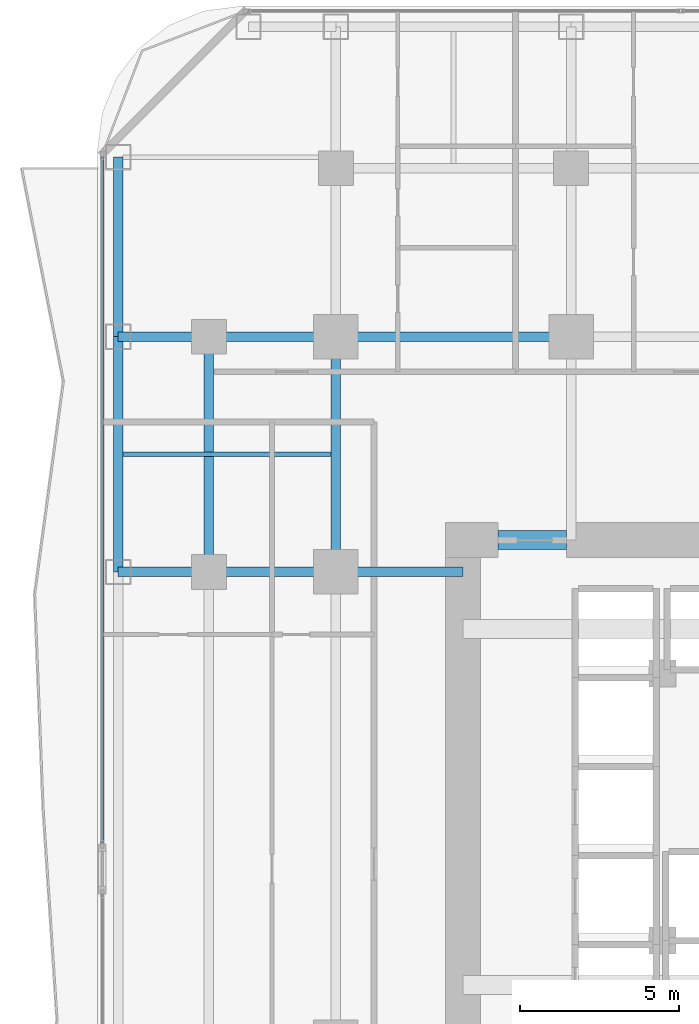
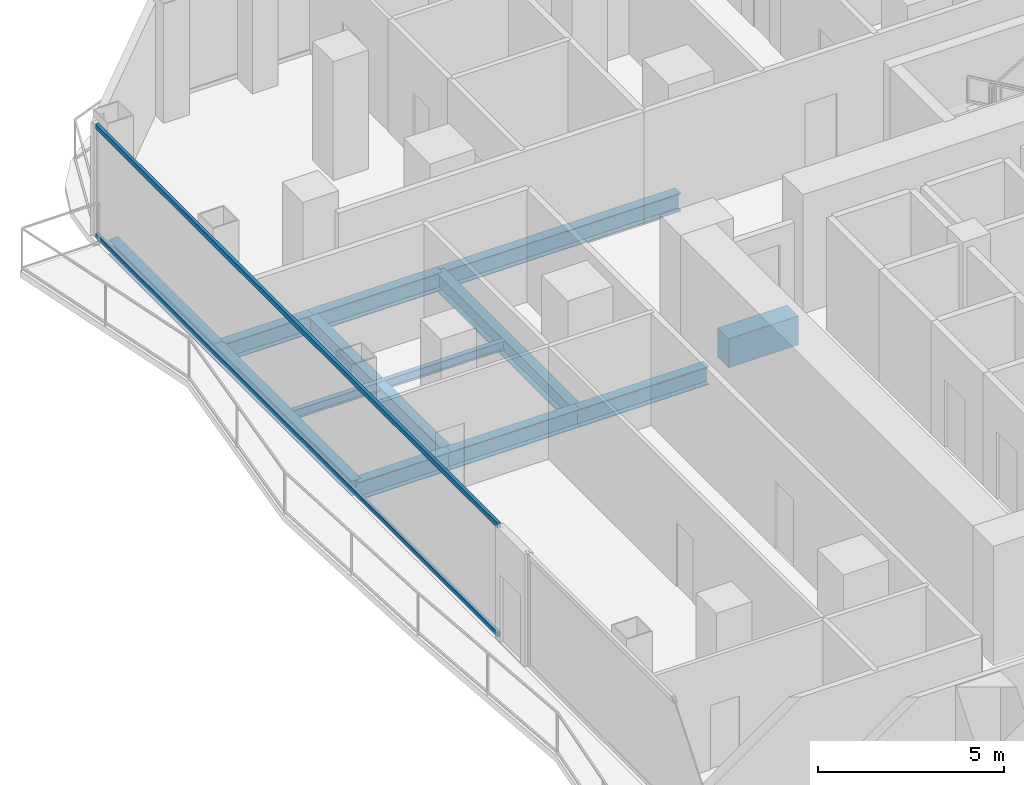
# One storey, part 13 of 27: 12 beams, 2 members, 1 element without a shape of its own.
"""IFC4 building model written with IfcOpenShell, lengths in metres."""

from ifc_helpers import new_model, si_unit, direction, frame, origin, origin_2d, place, context, subcontext, project, spatial, rectangle, hollow_rectangle, i_section, extrude, material, layer, layer_set, material_profile, profile_set, type_object, element, aggregate, save


model = new_model("IFC4")

# Units and contexts
model_context = context("Model", 3, precision=1e-05, world=origin(), true_north=direction((0.0, 1.0)))
body_context = subcontext(model_context, "Body", "Model", "MODEL_VIEW")
ifc_project = project(units=[si_unit("LENGTHUNIT", "METRE"), si_unit("AREAUNIT", "SQUARE_METRE"), si_unit("VOLUMEUNIT", "CUBIC_METRE"), si_unit("PLANEANGLEUNIT", "RADIAN"), si_unit("MASSUNIT", "GRAM", prefix="KILO")], contexts=[model_context])

# Site, building, storey
site_placement = place(None, origin())
site = spatial("IfcSite", under=ifc_project, at=site_placement, CompositionType="ELEMENT")
building_placement = place(site_placement, origin())
building = spatial("IfcBuilding", under=site, at=building_placement, Name="Khorvyn Point Tower", CompositionType="ELEMENT")
storey_placement = place(building_placement, frame((0.0, 0.0, 46.199951171875)))
storey = spatial("IfcBuildingStorey", under=building, at=storey_placement, Name="L12", CompositionType="ELEMENT", Elevation=46.199951171875)

# Curtain wall, members
ifc_material_1 = material(Name="Anodised aluminium 6063-T6 and laminated Low-E glass", Category="aluminium")
ifc_layer = layer(ifc_material_1, 0.18994140625)
ifc_layer_set = layer_set([ifc_layer], Name="Stick-Built Finned Residential Curtain Wall CW-SYS-02")
curtain_wall_type = type_object("IfcCurtainWallType", Name="Stick-Built Finned Residential Curtain Wall CW-SYS-02", PredefinedType="NOTDEFINED", material=ifc_layer_set)
curtain_wall_placement = place(storey_placement, origin())
curtain_wall = element("IfcCurtainWall", 1, at=curtain_wall_placement, inside=storey, type_object=curtain_wall_type, Name="Curtain Wall", PredefinedType="NOTDEFINED")
ifc_material_2 = material(Name="Anodised aluminium 6063-T6", Category="aluminium")
ifc_material_profile_1 = material_profile(ifc_material_2, hollow_rectangle(XDim=0.10009765625, YDim=0.159912109375, WallThickness=0.00439453125, at=origin_2d()))
ifc_profile_set_1 = profile_set([ifc_material_profile_1], Name="Anodised aluminium 6063-T6 ALU-TRN-100x160")
member_type = type_object("IfcMemberType", Name="Anodised Aluminium 6063-T6 Transom ALU-TRN-100x160", PredefinedType="USERDEFINED", material=ifc_profile_set_1)
member_1_placement = place(storey_placement, frame((-22.14990234375, -1.1220703125, 0.050048828125), z_axis=(0.0, 1.0, 0.0), x_axis=(-1.0, 0.0, 0.0)))
member_1 = element("IfcMember", 2, at=member_1_placement, type_object=member_type, Name="Transom", ObjectType="TRANSOM", PredefinedType="USERDEFINED", context=body_context, shape_type="SweptSolid", body=[
    extrude(hollow_rectangle(XDim=0.10009765625, YDim=0.159912109375, WallThickness=0.00439453125, at=origin_2d()), origin(), (0.0, 0.0, 1.0), 21.572021484375),
])
member_2_placement = place(storey_placement, frame((-22.14990234375, -1.1220703125, 3.630126953125), z_axis=(0.0, 1.0, 0.0), x_axis=(-1.0, 0.0, 0.0)))
member_2 = element("IfcMember", 3, at=member_2_placement, type_object=member_type, Name="Transom", ObjectType="TRANSOM", PredefinedType="USERDEFINED", context=body_context, shape_type="SweptSolid", body=[
    extrude(hollow_rectangle(XDim=0.10009765625, YDim=0.159912109375, WallThickness=0.00439453125, at=origin_2d()), origin(), (0.0, 0.0, 1.0), 21.572021484375),
])
aggregate(curtain_wall, [member_1, member_2])

# Beams
ifc_material_3 = material(Name="Concrete C50/60", Category="concrete")
ifc_material_profile_2 = material_profile(ifc_material_3, rectangle(XDim=0.60009765625, YDim=0.949951171875, at=origin_2d()))
ifc_profile_set_2 = profile_set([ifc_material_profile_2], Name="Concrete C50/60 RC600x950")
beam_type_1 = type_object("IfcBeamType", Name="Concrete C50/60 Beam RC600x950", PredefinedType="BEAM", material=ifc_profile_set_2)
beam_1_placement = place(storey_placement, frame((-9.699951171875, 8.39990234375, -0.695068359375), z_axis=(1.0, 0.0, 0.0), x_axis=(0.0, 1.0, 0.0)))
element("IfcBeam", 4, at=beam_1_placement, inside=storey, type_object=beam_type_1, Name="L12 Core Northwest Portal Coupling Beam", PredefinedType="BEAM", context=body_context, shape_type="SweptSolid", body=[
    extrude(rectangle(XDim=0.60009765625, YDim=0.949951171875, at=origin_2d()), origin(), (0.0, 0.0, 1.0), 2.14990234375),
])
ifc_material_4 = material(Name="Steel S355", Category="steel")
ifc_material_profile_3 = material_profile(ifc_material_4, i_section(OverallWidth=0.300048828125, OverallDepth=0.587890625, WebThickness=0.011962890625, FlangeThickness=0.02001953125, at=origin_2d()))
ifc_profile_set_3 = profile_set([ifc_material_profile_3], Name="Steel S355 H588x300x12x20")
beam_type_2 = type_object("IfcBeamType", Name="Steel S355 Beam H588x300x12x20", PredefinedType="BEAM", material=ifc_profile_set_3)
beam_2_placement = place(storey_placement, frame((-21.64990234375, 14.800048828125, -0.513916015625), z_axis=(1.0, 0.0, 0.0), x_axis=(0.0, 1.0, 0.0)))
element("IfcBeam", 5, at=beam_2_placement, inside=storey, type_object=beam_type_2, Name="Beam", PredefinedType="BEAM", context=body_context, shape_type="SweptSolid", body=[
    extrude(i_section(OverallWidth=0.300048828125, OverallDepth=0.587890625, WebThickness=0.011962890625, FlangeThickness=0.02001953125, at=origin_2d()), origin(), (0.0, 0.0, 1.0), 2.849853515625),
])
beam_3_placement = place(storey_placement, frame((-18.800048828125, 14.800048828125, -0.513916015625), z_axis=(1.0, 0.0, 0.0), x_axis=(0.0, 1.0, 0.0)))
element("IfcBeam", 6, at=beam_3_placement, inside=storey, type_object=beam_type_2, Name="Beam", PredefinedType="BEAM", context=body_context, shape_type="SweptSolid", body=[
    extrude(i_section(OverallWidth=0.300048828125, OverallDepth=0.587890625, WebThickness=0.011962890625, FlangeThickness=0.02001953125, at=origin_2d()), origin(), (0.0, 0.0, 1.0), 4.0),
])
beam_4_placement = place(storey_placement, frame((-14.800048828125, 14.800048828125, -0.513916015625), z_axis=(1.0, 0.0, 0.0), x_axis=(0.0, 1.0, 0.0)))
element("IfcBeam", 7, at=beam_4_placement, inside=storey, type_object=beam_type_2, Name="Beam", PredefinedType="BEAM", context=body_context, shape_type="SweptSolid", body=[
    extrude(i_section(OverallWidth=0.300048828125, OverallDepth=0.587890625, WebThickness=0.011962890625, FlangeThickness=0.02001953125, at=origin_2d()), origin(), (0.0, 0.0, 1.0), 7.400146484375),
])
beam_5_placement = place(storey_placement, frame((-21.64990234375, 7.39990234375, -0.513916015625), z_axis=(1.0, 0.0, 0.0), x_axis=(0.0, 1.0, 0.0)))
element("IfcBeam", 8, at=beam_5_placement, inside=storey, type_object=beam_type_2, Name="Beam", PredefinedType="BEAM", context=body_context, shape_type="SweptSolid", body=[
    extrude(i_section(OverallWidth=0.300048828125, OverallDepth=0.587890625, WebThickness=0.011962890625, FlangeThickness=0.02001953125, at=origin_2d()), origin(), (0.0, 0.0, 1.0), 2.849853515625),
])
for number, where, z_axis, x_axis, name in (
    (9, (-18.800048828125, 7.39990234375, -0.513916015625), (1.0, 0.0, 0.0), (0.0, 1.0, 0.0), "Beam"),
    (10, (-14.800048828125, 7.39990234375, -0.513916015625), (1.0, 0.0, 0.0), (0.0, 1.0, 0.0), "Beam"),
):
    element("IfcBeam", number, at=place(storey_placement, frame(where, z_axis=z_axis, x_axis=x_axis)), inside=storey, type_object=beam_type_2, Name=name, PredefinedType="BEAM", context=body_context, shape_type="SweptSolid", body=[
        extrude(i_section(OverallWidth=0.300048828125, OverallDepth=0.587890625, WebThickness=0.011962890625, FlangeThickness=0.02001953125, at=origin_2d()), origin(), (0.0, 0.0, 1.0), 4.0),
    ])
for number, where, z_axis, x_axis, name in (
    (11, (-14.800048828125, 7.39990234375, -0.513916015625), (0.0, 1.0, 0.0), (-1.0, 0.0, 0.0), "Beam"),
    (12, (-18.800048828125, 7.39990234375, -0.513916015625), (0.0, 1.0, 0.0), (-1.0, 0.0, 0.0), "Beam"),
):
    element("IfcBeam", number, at=place(storey_placement, frame(where, z_axis=z_axis, x_axis=x_axis)), inside=storey, type_object=beam_type_2, Name=name, PredefinedType="BEAM", context=body_context, shape_type="SweptSolid", body=[
        extrude(i_section(OverallWidth=0.300048828125, OverallDepth=0.587890625, WebThickness=0.011962890625, FlangeThickness=0.02001953125, at=origin_2d()), origin(), (0.0, 0.0, 1.0), 7.400146484375),
    ])
ifc_material_profile_4 = material_profile(ifc_material_4, i_section(OverallWidth=0.14990234375, OverallDepth=0.300048828125, WebThickness=0.006591796875, FlangeThickness=0.009033203125, at=origin_2d()))
ifc_profile_set_4 = profile_set([ifc_material_profile_4], Name="Steel S355 H300x150x6.5x9")
beam_type_3 = type_object("IfcBeamType", Name="Steel S355 Joist H300x150x6.5x9", PredefinedType="JOIST", material=ifc_profile_set_4)
beam_6_placement = place(storey_placement, frame((-21.5, 11.10009765625, -0.369873046875), z_axis=(1.0, 0.0, 0.0), x_axis=(0.0, 1.0, 0.0)))
element("IfcBeam", 13, at=beam_6_placement, inside=storey, type_object=beam_type_3, Name="Beam", PredefinedType="JOIST", context=body_context, shape_type="SweptSolid", body=[
    extrude(i_section(OverallWidth=0.14990234375, OverallDepth=0.300048828125, WebThickness=0.006591796875, FlangeThickness=0.009033203125, at=origin_2d()), origin(), (0.0, 0.0, 1.0), 6.550048828125),
])
ifc_material_profile_5 = material_profile(ifc_material_4, i_section(OverallWidth=0.300048828125, OverallDepth=0.488037109375, WebThickness=0.010986328125, FlangeThickness=0.01806640625, at=origin_2d()))
ifc_profile_set_5 = profile_set([ifc_material_profile_5], Name="Steel S355 H488x300x11x18")
beam_type_4 = type_object("IfcBeamType", Name="Steel S355 Spandrel H488x300x11x18", PredefinedType="SPANDREL", material=ifc_profile_set_5)
beam_7_placement = place(storey_placement, frame((-21.64990234375, 7.39990234375, -0.4638671875), z_axis=(0.0, 1.0, 0.0), x_axis=(-1.0, 0.0, 0.0)))
element("IfcBeam", 14, at=beam_7_placement, inside=storey, type_object=beam_type_4, Name="Beam", PredefinedType="SPANDREL", context=body_context, shape_type="SweptSolid", body=[
    extrude(i_section(OverallWidth=0.300048828125, OverallDepth=0.488037109375, WebThickness=0.010986328125, FlangeThickness=0.01806640625, at=origin_2d()), origin(), (0.0, 0.0, 1.0), 7.400146484375),
])
beam_8_placement = place(storey_placement, frame((-21.64990234375, 14.800048828125, -0.4638671875), z_axis=(0.0, 1.0, 0.0), x_axis=(-1.0, 0.0, 0.0)))
element("IfcBeam", 15, at=beam_8_placement, inside=storey, type_object=beam_type_4, Name="Beam", PredefinedType="SPANDREL", context=body_context, shape_type="SweptSolid", body=[
    extrude(i_section(OverallWidth=0.300048828125, OverallDepth=0.488037109375, WebThickness=0.010986328125, FlangeThickness=0.01806640625, at=origin_2d()), origin(), (0.0, 0.0, 1.0), 5.64990234375),
])

save(model, "model.ifc")
